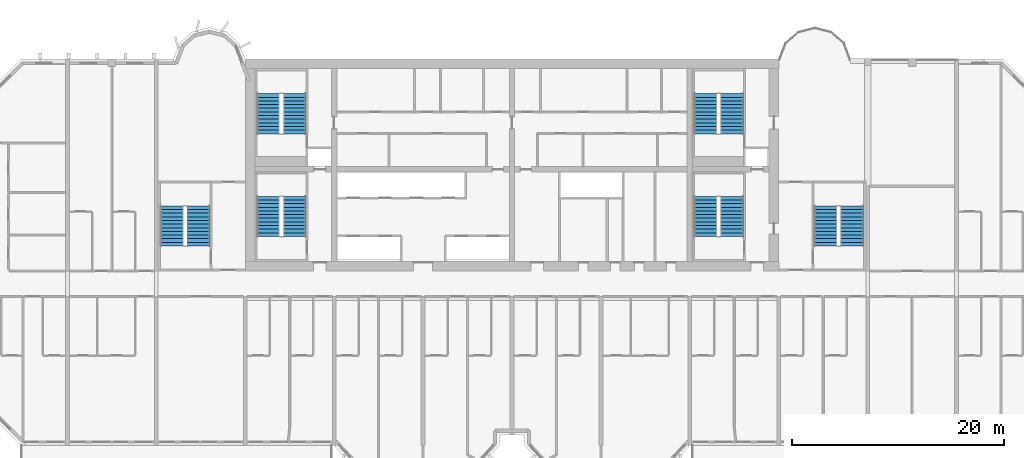
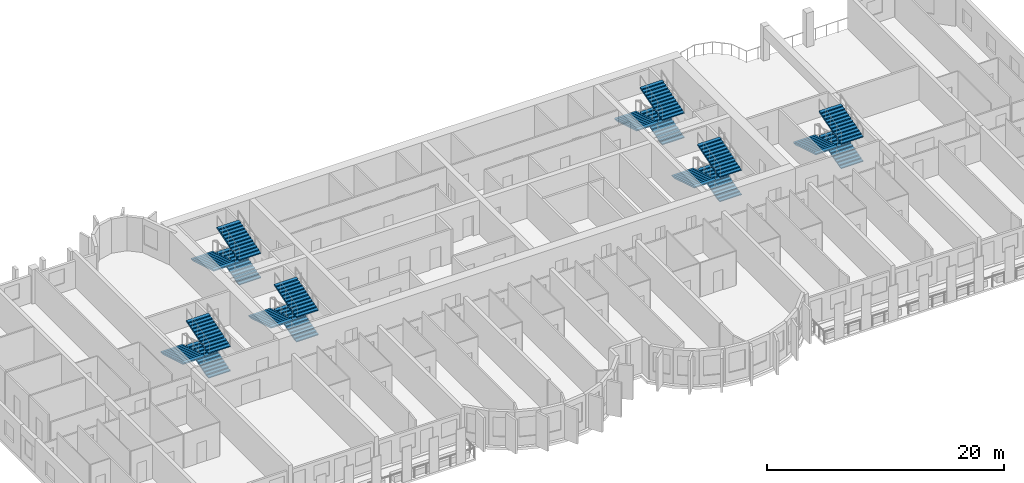
# One storey, part 12 of 15: 18 stair flights, 6 elements without a shape of their own.
"""IFC4 building model written with IfcOpenShell, lengths in metres."""

from ifc_helpers import new_model, si_unit, direction, frame, origin, place, context, subcontext, project, spatial, polyline, outline, extrude, source, transform, mapped, material, type_object, element, aggregate, save


model = new_model("IFC4")

# Units and contexts
model_context = context("Model", 3, precision=1e-05, world=origin(), true_north=direction((0.0, 1.0)))
body_context = subcontext(model_context, "Body", "Model", "MODEL_VIEW")
ifc_project = project(units=[si_unit("LENGTHUNIT", "METRE"), si_unit("AREAUNIT", "SQUARE_METRE"), si_unit("VOLUMEUNIT", "CUBIC_METRE"), si_unit("PLANEANGLEUNIT", "RADIAN"), si_unit("MASSUNIT", "GRAM", prefix="KILO")], contexts=[model_context])

# Site, building, storey
site_placement = place(None, origin())
site = spatial("IfcSite", under=ifc_project, at=site_placement, CompositionType="ELEMENT")
building_placement = place(site_placement, origin())
building = spatial("IfcBuilding", under=site, at=building_placement, Name="Vanashikhar Sky Hotel", CompositionType="ELEMENT")
storey_placement = place(building_placement, frame((0.0, 0.0, 91.39990234375)))
storey = spatial("IfcBuildingStorey", under=building, at=storey_placement, Name="L21", CompositionType="ELEMENT", Elevation=91.39990234375)

# Stair, stair flights
ifc_material = material(Name="Concrete M40", Category="concrete")
stair_type = type_object("IfcStairType", Name="Exit stair 2150", PredefinedType="DOUBLE_RETURN_STAIR", material=ifc_material)
stair_1_placement = place(storey_placement, origin())
stair_1 = element("IfcStair", 1, at=stair_1_placement, inside=storey, type_object=stair_type, Name="L21 Exit stair 1", PredefinedType="DOUBLE_RETURN_STAIR")
stair_flight_type = type_object("IfcStairFlightType", Name="Stair flight 2150", PredefinedType="STRAIGHT", material=ifc_material)
shared_shape = source(origin(), body_context, "Body", "SweptSolid", [
    extrude(outline(polyline([(0.0, 0.0), (0.0, 0.10546875), (0.345458984375, 0.10546875), (0.345458984375, 0.211181640625), (0.69091796875, 0.211181640625), (0.69091796875, 0.316650390625), (1.036376953125, 0.316650390625), (1.036376953125, 0.422119140625), (1.3818359375, 0.422119140625), (1.3818359375, 0.52783203125), (1.727294921875, 0.52783203125), (1.727294921875, 0.63330078125), (2.07275390625, 0.63330078125), (2.07275390625, 0.73876953125), (2.418212890625, 0.73876953125), (2.418212890625, 0.844482421875), (2.763671875, 0.844482421875), (2.763671875, 0.949951171875), (3.109130859375, 0.949951171875), (3.109130859375, 1.0556640625), (3.45458984375, 1.0556640625), (3.45458984375, 1.1611328125), (3.800048828125, 1.1611328125), (3.800048828125, 1.2666015625), (3.800048828125, 1.035400390625), (0.4111328125, 0.0), (0.0, 0.0)])), frame((0.0, 1.074951171875, 0.0), z_axis=(0.0, -1.0, 0.0), x_axis=(1.0, 0.0, 0.0)), (0.0, 0.0, 1.0), 2.14990234375),
])
stair_flight_1_placement = place(storey_placement, frame((29.875, 25.25, 0.0), z_axis=(0.0, 0.0, 1.0), x_axis=(0.0, 1.0, 0.0)))
stair_flight_1 = element("IfcStairFlight", 2, at=stair_flight_1_placement, type_object=stair_flight_type, Name="ST-C1 flight 1", NumberOfRisers=12, NumberOfTreads=11, PredefinedType="STRAIGHT", RiserHeight=0.105555556, TreadLength=0.345454545, context=body_context, shape_type="MappedRepresentation", body=[
    mapped(shared_shape, transform((0.0, 0.0, 0.0), scale=1.0)),
])
stair_flight_2_placement = place(storey_placement, frame((27.375, 29.050048828125, 1.266845703125), z_axis=(0.0, 0.0, 1.0), x_axis=(0.0, -1.0, 0.0)))
stair_flight_2 = element("IfcStairFlight", 3, at=stair_flight_2_placement, type_object=stair_flight_type, Name="ST-C1 flight 2", NumberOfRisers=12, NumberOfTreads=11, PredefinedType="STRAIGHT", RiserHeight=0.105555556, TreadLength=0.345454545, context=body_context, shape_type="MappedRepresentation", body=[
    mapped(shared_shape, transform((0.0, 0.0, 0.0), scale=1.0)),
])
stair_flight_3_placement = place(storey_placement, frame((29.875, 25.25, 2.533447265625), z_axis=(0.0, 0.0, 1.0), x_axis=(0.0, 1.0, 0.0)))
stair_flight_3 = element("IfcStairFlight", 4, at=stair_flight_3_placement, type_object=stair_flight_type, Name="ST-C1 flight 3", NumberOfRisers=12, NumberOfTreads=11, PredefinedType="STRAIGHT", RiserHeight=0.105555556, TreadLength=0.345454545, context=body_context, shape_type="MappedRepresentation", body=[
    mapped(shared_shape, transform((0.0, 0.0, 0.0), scale=1.0)),
])
aggregate(stair_1, [stair_flight_1, stair_flight_2, stair_flight_3])

stair_2_placement = place(storey_placement, origin())
stair_2 = element("IfcStair", 5, at=stair_2_placement, inside=storey, type_object=stair_type, Name="L21 Exit stair 2", PredefinedType="DOUBLE_RETURN_STAIR")
stair_flight_4_placement = place(storey_placement, frame((71.175048828125, 25.25, 0.0), z_axis=(0.0, 0.0, 1.0), x_axis=(0.0, 1.0, 0.0)))
stair_flight_4 = element("IfcStairFlight", 6, at=stair_flight_4_placement, type_object=stair_flight_type, Name="ST-C2 flight 1", NumberOfRisers=12, NumberOfTreads=11, PredefinedType="STRAIGHT", RiserHeight=0.105555556, TreadLength=0.345454545, context=body_context, shape_type="MappedRepresentation", body=[
    mapped(shared_shape, transform((0.0, 0.0, 0.0), scale=1.0)),
])
stair_flight_5_placement = place(storey_placement, frame((68.675048828125, 29.050048828125, 1.266845703125), z_axis=(0.0, 0.0, 1.0), x_axis=(0.0, -1.0, 0.0)))
stair_flight_5 = element("IfcStairFlight", 7, at=stair_flight_5_placement, type_object=stair_flight_type, Name="ST-C2 flight 2", NumberOfRisers=12, NumberOfTreads=11, PredefinedType="STRAIGHT", RiserHeight=0.105555556, TreadLength=0.345454545, context=body_context, shape_type="MappedRepresentation", body=[
    mapped(shared_shape, transform((0.0, 0.0, 0.0), scale=1.0)),
])
stair_flight_6_placement = place(storey_placement, frame((71.175048828125, 25.25, 2.533447265625), z_axis=(0.0, 0.0, 1.0), x_axis=(0.0, 1.0, 0.0)))
stair_flight_6 = element("IfcStairFlight", 8, at=stair_flight_6_placement, type_object=stair_flight_type, Name="ST-C2 flight 3", NumberOfRisers=12, NumberOfTreads=11, PredefinedType="STRAIGHT", RiserHeight=0.105555556, TreadLength=0.345454545, context=body_context, shape_type="MappedRepresentation", body=[
    mapped(shared_shape, transform((0.0, 0.0, 0.0), scale=1.0)),
])
aggregate(stair_2, [stair_flight_4, stair_flight_5, stair_flight_6])

stair_3_placement = place(storey_placement, origin())
stair_3 = element("IfcStair", 9, at=stair_3_placement, inside=storey, type_object=stair_type, Name="L21 Exit stair 3", PredefinedType="DOUBLE_RETURN_STAIR")
stair_flight_7_placement = place(storey_placement, frame((20.77490234375, 24.35009765625, 0.0), z_axis=(0.0, 0.0, 1.0), x_axis=(0.0, 1.0, 0.0)))
stair_flight_7 = element("IfcStairFlight", 10, at=stair_flight_7_placement, type_object=stair_flight_type, Name="ST-W flight 1", NumberOfRisers=12, NumberOfTreads=11, PredefinedType="STRAIGHT", RiserHeight=0.105555556, TreadLength=0.345454545, context=body_context, shape_type="MappedRepresentation", body=[
    mapped(shared_shape, transform((0.0, 0.0, 0.0), scale=1.0)),
])
stair_flight_8_placement = place(storey_placement, frame((18.27490234375, 28.14990234375, 1.266845703125), z_axis=(0.0, 0.0, 1.0), x_axis=(0.0, -1.0, 0.0)))
stair_flight_8 = element("IfcStairFlight", 11, at=stair_flight_8_placement, type_object=stair_flight_type, Name="ST-W flight 2", NumberOfRisers=12, NumberOfTreads=11, PredefinedType="STRAIGHT", RiserHeight=0.105555556, TreadLength=0.345454545, context=body_context, shape_type="MappedRepresentation", body=[
    mapped(shared_shape, transform((0.0, 0.0, 0.0), scale=1.0)),
])
stair_flight_9_placement = place(storey_placement, frame((20.77490234375, 24.35009765625, 2.533447265625), z_axis=(0.0, 0.0, 1.0), x_axis=(0.0, 1.0, 0.0)))
stair_flight_9 = element("IfcStairFlight", 12, at=stair_flight_9_placement, type_object=stair_flight_type, Name="ST-W flight 3", NumberOfRisers=12, NumberOfTreads=11, PredefinedType="STRAIGHT", RiserHeight=0.105555556, TreadLength=0.345454545, context=body_context, shape_type="MappedRepresentation", body=[
    mapped(shared_shape, transform((0.0, 0.0, 0.0), scale=1.0)),
])
aggregate(stair_3, [stair_flight_7, stair_flight_8, stair_flight_9])

stair_4_placement = place(storey_placement, origin())
stair_4 = element("IfcStair", 13, at=stair_4_placement, inside=storey, type_object=stair_type, Name="L21 Exit stair 4", PredefinedType="DOUBLE_RETURN_STAIR")
stair_flight_10_placement = place(storey_placement, frame((82.52490234375, 24.35009765625, 0.0), z_axis=(0.0, 0.0, 1.0), x_axis=(0.0, 1.0, 0.0)))
stair_flight_10 = element("IfcStairFlight", 14, at=stair_flight_10_placement, type_object=stair_flight_type, Name="ST-E flight 1", NumberOfRisers=12, NumberOfTreads=11, PredefinedType="STRAIGHT", RiserHeight=0.105555556, TreadLength=0.345454545, context=body_context, shape_type="MappedRepresentation", body=[
    mapped(shared_shape, transform((0.0, 0.0, 0.0), scale=1.0)),
])
stair_flight_11_placement = place(storey_placement, frame((80.02490234375, 28.14990234375, 1.266845703125), z_axis=(0.0, 0.0, 1.0), x_axis=(0.0, -1.0, 0.0)))
stair_flight_11 = element("IfcStairFlight", 15, at=stair_flight_11_placement, type_object=stair_flight_type, Name="ST-E flight 2", NumberOfRisers=12, NumberOfTreads=11, PredefinedType="STRAIGHT", RiserHeight=0.105555556, TreadLength=0.345454545, context=body_context, shape_type="MappedRepresentation", body=[
    mapped(shared_shape, transform((0.0, 0.0, 0.0), scale=1.0)),
])
stair_flight_12_placement = place(storey_placement, frame((82.52490234375, 24.35009765625, 2.533447265625), z_axis=(0.0, 0.0, 1.0), x_axis=(0.0, 1.0, 0.0)))
stair_flight_12 = element("IfcStairFlight", 16, at=stair_flight_12_placement, type_object=stair_flight_type, Name="ST-E flight 3", NumberOfRisers=12, NumberOfTreads=11, PredefinedType="STRAIGHT", RiserHeight=0.105555556, TreadLength=0.345454545, context=body_context, shape_type="MappedRepresentation", body=[
    mapped(shared_shape, transform((0.0, 0.0, 0.0), scale=1.0)),
])
aggregate(stair_4, [stair_flight_10, stair_flight_11, stair_flight_12])

stair_5_placement = place(storey_placement, origin())
stair_5 = element("IfcStair", 17, at=stair_5_placement, inside=storey, type_object=stair_type, Name="L21 Exit stair 5", PredefinedType="DOUBLE_RETURN_STAIR")
stair_flight_13_placement = place(storey_placement, frame((29.875, 34.949951171875, 0.0), z_axis=(0.0, 0.0, 1.0), x_axis=(0.0, 1.0, 0.0)))
stair_flight_13 = element("IfcStairFlight", 18, at=stair_flight_13_placement, type_object=stair_flight_type, Name="ST-C3 flight 1", NumberOfRisers=12, NumberOfTreads=11, PredefinedType="STRAIGHT", RiserHeight=0.105555556, TreadLength=0.345454545, context=body_context, shape_type="MappedRepresentation", body=[
    mapped(shared_shape, transform((0.0, 0.0, 0.0), scale=1.0)),
])
stair_flight_14_placement = place(storey_placement, frame((27.375, 38.75, 1.266845703125), z_axis=(0.0, 0.0, 1.0), x_axis=(0.0, -1.0, 0.0)))
stair_flight_14 = element("IfcStairFlight", 19, at=stair_flight_14_placement, type_object=stair_flight_type, Name="ST-C3 flight 2", NumberOfRisers=12, NumberOfTreads=11, PredefinedType="STRAIGHT", RiserHeight=0.105555556, TreadLength=0.345454545, context=body_context, shape_type="MappedRepresentation", body=[
    mapped(shared_shape, transform((0.0, 0.0, 0.0), scale=1.0)),
])
stair_flight_15_placement = place(storey_placement, frame((29.875, 34.949951171875, 2.533447265625), z_axis=(0.0, 0.0, 1.0), x_axis=(0.0, 1.0, 0.0)))
stair_flight_15 = element("IfcStairFlight", 20, at=stair_flight_15_placement, type_object=stair_flight_type, Name="ST-C3 flight 3", NumberOfRisers=12, NumberOfTreads=11, PredefinedType="STRAIGHT", RiserHeight=0.105555556, TreadLength=0.345454545, context=body_context, shape_type="MappedRepresentation", body=[
    mapped(shared_shape, transform((0.0, 0.0, 0.0), scale=1.0)),
])
aggregate(stair_5, [stair_flight_13, stair_flight_14, stair_flight_15])

stair_6_placement = place(storey_placement, origin())
stair_6 = element("IfcStair", 21, at=stair_6_placement, inside=storey, type_object=stair_type, Name="L21 Exit stair 6", PredefinedType="DOUBLE_RETURN_STAIR")
stair_flight_16_placement = place(storey_placement, frame((71.175048828125, 34.949951171875, 0.0), z_axis=(0.0, 0.0, 1.0), x_axis=(0.0, 1.0, 0.0)))
stair_flight_16 = element("IfcStairFlight", 22, at=stair_flight_16_placement, type_object=stair_flight_type, Name="ST-C4 flight 1", NumberOfRisers=12, NumberOfTreads=11, PredefinedType="STRAIGHT", RiserHeight=0.105555556, TreadLength=0.345454545, context=body_context, shape_type="MappedRepresentation", body=[
    mapped(shared_shape, transform((0.0, 0.0, 0.0), scale=1.0)),
])
stair_flight_17_placement = place(storey_placement, frame((68.675048828125, 38.75, 1.266845703125), z_axis=(0.0, 0.0, 1.0), x_axis=(0.0, -1.0, 0.0)))
stair_flight_17 = element("IfcStairFlight", 23, at=stair_flight_17_placement, type_object=stair_flight_type, Name="ST-C4 flight 2", NumberOfRisers=12, NumberOfTreads=11, PredefinedType="STRAIGHT", RiserHeight=0.105555556, TreadLength=0.345454545, context=body_context, shape_type="MappedRepresentation", body=[
    mapped(shared_shape, transform((0.0, 0.0, 0.0), scale=1.0)),
])
stair_flight_18_placement = place(storey_placement, frame((71.175048828125, 34.949951171875, 2.533447265625), z_axis=(0.0, 0.0, 1.0), x_axis=(0.0, 1.0, 0.0)))
stair_flight_18 = element("IfcStairFlight", 24, at=stair_flight_18_placement, type_object=stair_flight_type, Name="ST-C4 flight 3", NumberOfRisers=12, NumberOfTreads=11, PredefinedType="STRAIGHT", RiserHeight=0.105555556, TreadLength=0.345454545, context=body_context, shape_type="MappedRepresentation", body=[
    mapped(shared_shape, transform((0.0, 0.0, 0.0), scale=1.0)),
])
aggregate(stair_6, [stair_flight_16, stair_flight_17, stair_flight_18])

save(model, "model.ifc")
